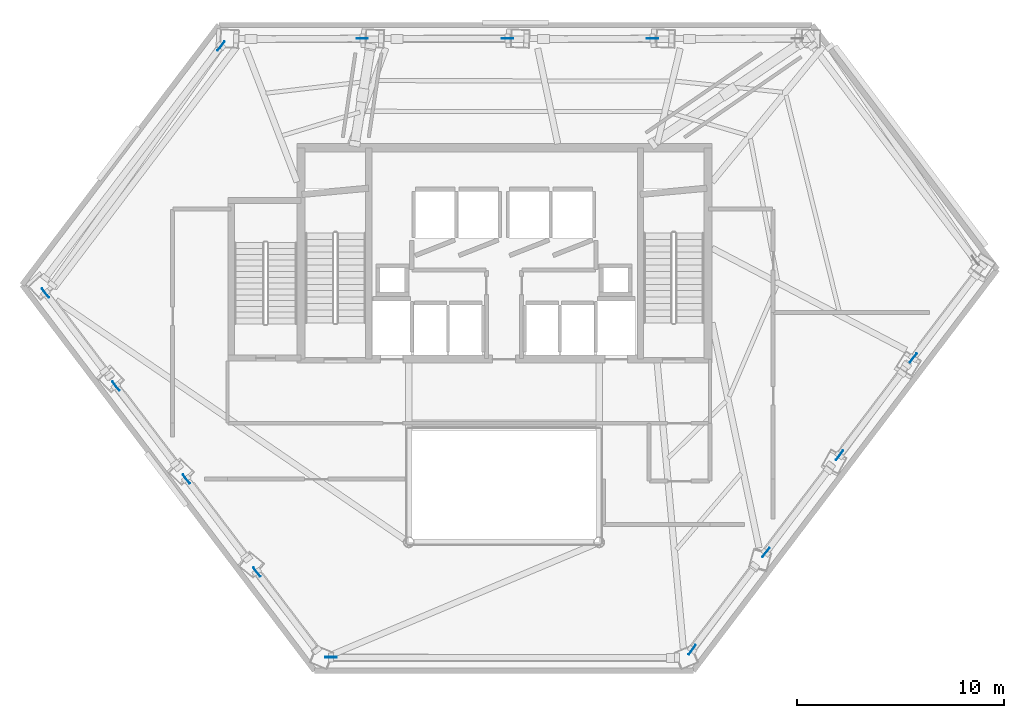
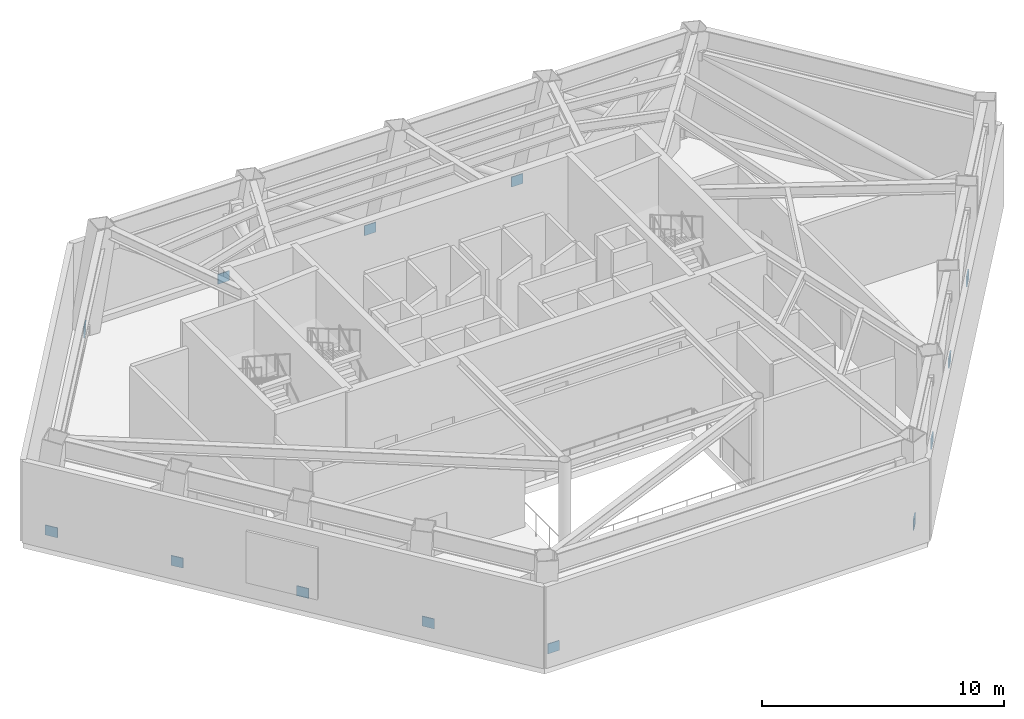
# One storey, part 3 of 9: 13 plates.
"""IFC4 building model written with IfcOpenShell, lengths in metres."""

from ifc_helpers import new_model, si_unit, direction, frame, origin, origin_2d, place, context, subcontext, project, spatial, rectangle, extrude, material, layer, layer_set, type_object, element, save


model = new_model("IFC4")

# Units and contexts
model_context = context("Model", 3, precision=1e-05, world=origin(), true_north=direction((0.0, 1.0)))
body_context = subcontext(model_context, "Body", "Model", "MODEL_VIEW")
ifc_project = project(units=[si_unit("LENGTHUNIT", "METRE"), si_unit("AREAUNIT", "SQUARE_METRE"), si_unit("VOLUMEUNIT", "CUBIC_METRE"), si_unit("PLANEANGLEUNIT", "RADIAN"), si_unit("MASSUNIT", "GRAM", prefix="KILO")], contexts=[model_context])

# Site, building, storey
site_placement = place(None, origin())
site = spatial("IfcSite", under=ifc_project, at=site_placement, CompositionType="ELEMENT")
building_placement = place(site_placement, origin())
building = spatial("IfcBuilding", under=site, at=building_placement, Name="Zarrinselat Tower", CompositionType="ELEMENT")
storey_placement = place(building_placement, frame((0.0, 0.0, 109.139892578125)))
storey = spatial("IfcBuildingStorey", under=building, at=storey_placement, Name="L26", CompositionType="ELEMENT", Elevation=109.139892578125)

# Plates
ifc_material = material(Name="Steel S460M", Category="steel")
ifc_layer = layer(ifc_material, 0.0400390625)
ifc_layer_set = layer_set([ifc_layer], Name="Steel S460M")
plate_type = type_object("IfcPlateType", Name="PLT-GUSSET-40", PredefinedType="USERDEFINED", material=ifc_layer_set)
for number, where, z_axis, x_axis, name in (
    (1, (45.5712890625, 48.730712890625, 0.10009765625), (0.0, 0.0, 1.0), (-1.0, 0.0, 0.0), "L26 Belt Truss Node Gusset Plate 2"),
    (2, (38.564697265625, 48.730712890625, 0.10009765625), (0.0, 0.0, 1.0), (-1.0, 0.0, 0.0), "L26 Belt Truss Node Gusset Plate 3"),
    (3, (31.55810546875, 48.730712890625, 0.10009765625), (0.0, 0.0, 1.0), (-1.0, 0.0, 0.0), "L26 Belt Truss Node Gusset Plate 4"),
    (4, (24.734619140625, 48.3623046875, 0.10009765625), (0.0, 0.0, 1.0), (-0.603854849703, -0.797094298368, 0.0), "L26 Belt Truss Node Gusset Plate 5"),
    (5, (16.2568359375, 36.435302734375, 0.10009765625), (0.0, 0.0, 1.0), (0.603848477468, -0.797099125743, 0.0), "L26 Belt Truss Node Gusset Plate 6"),
    (6, (19.6591796875, 31.9443359375, 0.10009765625), (0.0, 0.0, 1.0), (0.603868262976, -0.797084136695, 0.0), "L26 Belt Truss Node Gusset Plate 7"),
    (7, (23.0615234375, 27.45361328125, 0.10009765625), (0.0, 0.0, 1.0), (0.603859734751, -0.797090597577, 0.0), "L26 Belt Truss Node Gusset Plate 8"),
    (8, (26.463623046875, 22.96240234375, 0.10009765625), (0.0, 0.0, 1.0), (0.603848477468, -0.797099125743, 0.0), "L26 Belt Truss Node Gusset Plate 9"),
    (9, (30.049072265625, 18.839599609375, 0.10009765625), (0.0, 0.0, 1.0), (1.0, 0.0, 0.0), "L26 Belt Truss Node Gusset Plate 10"),
    (10, (47.491943359375, 19.2080078125, 0.10009765625), (0.0, 0.0, 1.0), (0.603862275192, 0.797088672984, 0.0), "L26 Belt Truss Node Gusset Plate 11"),
    (11, (51.051025390625, 23.90576171875, 0.10009765625), (0.0, 0.0, 1.0), (0.603851462409, 0.797096864469, 0.0), "L26 Belt Truss Node Gusset Plate 12"),
    (12, (54.60986328125, 28.603515625, 0.10009765625), (0.0, 0.0, 1.0), (0.603851462409, 0.797096864469, 0.0), "L26 Belt Truss Node Gusset Plate 13"),
    (13, (58.168701171875, 33.301513671875, 0.10009765625), (0.0, 0.0, 1.0), (0.603862275192, 0.797088672984, 0.0), "L26 Belt Truss Node Gusset Plate 14"),
):
    element("IfcPlate", number, at=place(storey_placement, frame(where, z_axis=z_axis, x_axis=x_axis)), inside=storey, type_object=plate_type, Name=name, ObjectType="GUSSET_PLATE", PredefinedType="USERDEFINED", context=body_context, shape_type="SweptSolid", body=[
        extrude(rectangle(XDim=0.550048828125, YDim=0.0400390625, at=origin_2d()), origin(), (0.0, 0.0, 1.0), 0.5),
    ])

save(model, "model.ifc")
